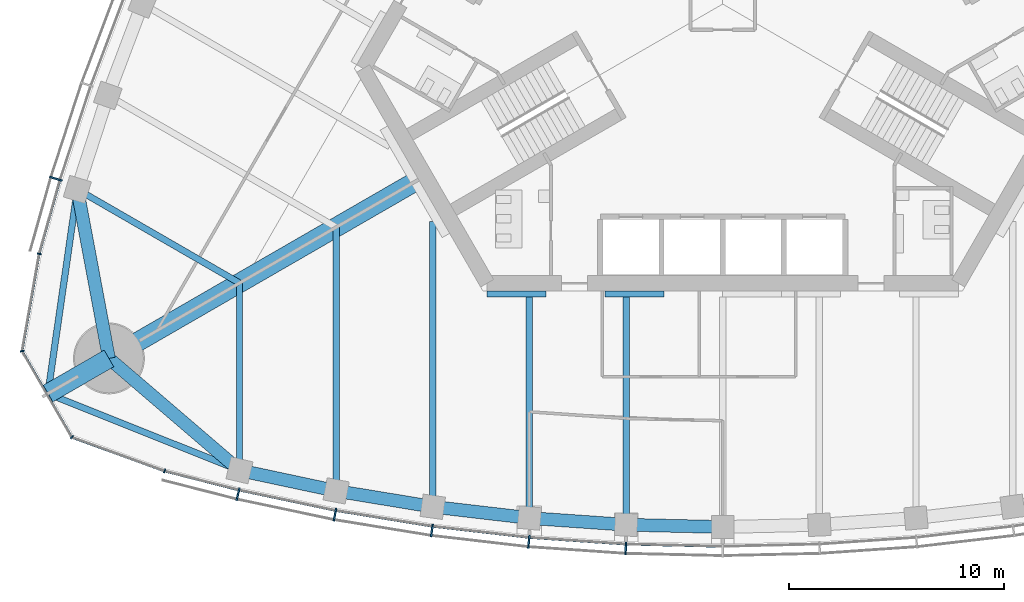
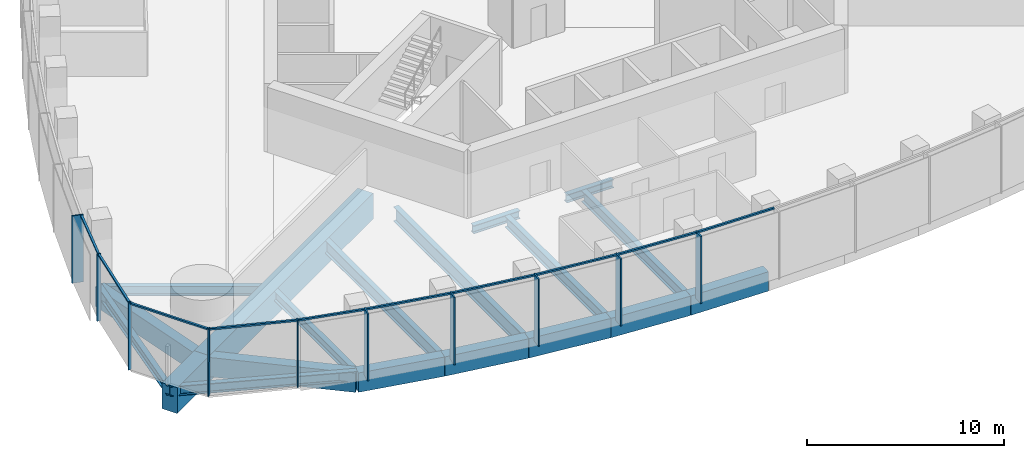
# One storey, part 2 of 19: 20 members, 19 beams, 3 elements without a shape of their own.
"""IFC4 building model written with IfcOpenShell, lengths in metres."""

from ifc_helpers import new_model, si_unit, direction, frame, origin, origin_2d, place, context, subcontext, project, spatial, rectangle, i_section, extrude, material, material_profile, profile_set, type_object, element, aggregate, save


model = new_model("IFC4")

# Units and contexts
model_context = context("Model", 3, precision=1e-05, world=origin(), true_north=direction((0.0, 1.0)))
body_context = subcontext(model_context, "Body", "Model", "MODEL_VIEW")
ifc_project = project(units=[si_unit("LENGTHUNIT", "METRE"), si_unit("AREAUNIT", "SQUARE_METRE"), si_unit("VOLUMEUNIT", "CUBIC_METRE"), si_unit("PLANEANGLEUNIT", "RADIAN"), si_unit("MASSUNIT", "GRAM", prefix="KILO")], contexts=[model_context])

# Site, building, storey
site_placement = place(None, origin())
site = spatial("IfcSite", under=ifc_project, at=site_placement, CompositionType="ELEMENT")
building_placement = place(site_placement, origin())
building = spatial("IfcBuilding", under=site, at=building_placement, Name="Trefoil Bronze Tower", CompositionType="ELEMENT")
storey_placement = place(building_placement, frame((0.0, 0.0, 240.10009765625)))
storey = spatial("IfcBuildingStorey", under=building, at=storey_placement, Name="L55", CompositionType="ELEMENT", Elevation=240.10009765625)

# Curtain wall, members
ifc_material_1 = material(Name="Tinted solar-control glass", Category="glass")
curtain_wall_type_1 = type_object("IfcCurtainWallType", Name="Bronze office curtain wall", PredefinedType="USERDEFINED", material=ifc_material_1)
curtain_wall_1_placement = place(storey_placement, origin())
curtain_wall_1 = element("IfcCurtainWall", 1, at=curtain_wall_1_placement, inside=storey, type_object=curtain_wall_type_1, Name="CW-A L55 F1", ObjectType="CURTAIN WALL", PredefinedType="USERDEFINED")
ifc_material_2 = material(Name="Bronze-finish aluminium", Category="aluminium")
ifc_material_profile_1 = material_profile(ifc_material_2, rectangle(XDim=0.60009765625, YDim=0.080078125, at=origin_2d()), Name="CW-A mullion")
ifc_profile_set_1 = profile_set([ifc_material_profile_1], Name="Bronze-finish aluminium")
member_type_1 = type_object("IfcMemberType", Name="Bronze office curtain wall mullion", PredefinedType="MULLION", material=ifc_profile_set_1)
member_1_placement = place(storey_placement, frame((-22.568115234375, -22.82421875, 0.0), z_axis=(0.0, 0.0, 1.0), x_axis=(0.227082662569, 0.973875487093, 0.0)))
member_1 = element("IfcMember", 2, at=member_1_placement, type_object=member_type_1, Name="CW-A L55 F1 mullion 2", PredefinedType="MULLION", context=body_context, shape_type="SweptSolid", body=[
    extrude(rectangle(XDim=0.60009765625, YDim=0.080078125, at=origin_2d()), origin(), (0.0, 0.0, 1.0), 4.179931640625),
])
member_2_placement = place(storey_placement, frame((-18.05517578125, -23.77783203125, 0.0), z_axis=(0.0, 0.0, 1.0), x_axis=(0.183825368167, 0.982958917767, 0.0)))
member_2 = element("IfcMember", 3, at=member_2_placement, type_object=member_type_1, Name="CW-A L55 F1 mullion 3", PredefinedType="MULLION", context=body_context, shape_type="SweptSolid", body=[
    extrude(rectangle(XDim=0.60009765625, YDim=0.080078125, at=origin_2d()), origin(), (0.0, 0.0, 1.0), 4.179931640625),
])
member_3_placement = place(storey_placement, frame((-13.541259765625, -24.51318359375, 0.0), z_axis=(0.0, 0.0, 1.0), x_axis=(0.137867887204, 0.990450627582, 0.0)))
member_3 = element("IfcMember", 4, at=member_3_placement, type_object=member_type_1, Name="CW-A L55 F1 mullion 4", PredefinedType="MULLION", context=body_context, shape_type="SweptSolid", body=[
    extrude(rectangle(XDim=0.60009765625, YDim=0.080078125, at=origin_2d()), origin(), (0.0, 0.0, 1.0), 4.179931640625),
])
member_4_placement = place(storey_placement, frame((-9.027587890625, -25.03515625, 0.0), z_axis=(0.0, 0.0, 1.0), x_axis=(0.091911396394, 0.995767189263, 0.0)))
member_4 = element("IfcMember", 5, at=member_4_placement, type_object=member_type_1, Name="CW-A L55 F1 mullion 5", PredefinedType="MULLION", context=body_context, shape_type="SweptSolid", body=[
    extrude(rectangle(XDim=0.60009765625, YDim=0.080078125, at=origin_2d()), origin(), (0.0, 0.0, 1.0), 4.179931640625),
])
member_5_placement = place(storey_placement, frame((-4.513671875, -25.346923828125, 0.0), z_axis=(0.0, 0.0, 1.0), x_axis=(0.045955542372, 0.998943485952, 0.0)))
member_5 = element("IfcMember", 6, at=member_5_placement, type_object=member_type_1, Name="CW-A L55 F1 mullion 6", PredefinedType="MULLION", context=body_context, shape_type="SweptSolid", body=[
    extrude(rectangle(XDim=0.60009765625, YDim=0.080078125, at=origin_2d()), origin(), (0.0, 0.0, 1.0), 4.179931640625),
])

# Curtain wall, member
curtain_wall_2_placement = place(storey_placement, origin())
curtain_wall_2 = element("IfcCurtainWall", 7, at=curtain_wall_2_placement, inside=storey, type_object=curtain_wall_type_1, Name="CW-A L55 F3", ObjectType="CURTAIN WALL", PredefinedType="USERDEFINED")
member_6_placement = place(storey_placement, frame((-31.05029296875, -8.132568359375, 0.0), z_axis=(0.0, 0.0, 1.0), x_axis=(0.95694224323, -0.290278389002, 0.0)))
member_6 = element("IfcMember", 8, at=member_6_placement, type_object=member_type_1, Name="CW-A L55 F3 mullion 12", PredefinedType="MULLION", context=body_context, shape_type="SweptSolid", body=[
    extrude(rectangle(XDim=0.60009765625, YDim=0.080078125, at=origin_2d()), origin(), (0.0, 0.0, 1.0), 4.179931640625),
])

# Member
ifc_material_3 = material(Name="Bronze-finish aluminium", Category="aluminium")
ifc_material_profile_2 = material_profile(ifc_material_3, rectangle(XDim=0.1201171875, YDim=0.10009765625, at=origin_2d()), Name="CW-A transom")
ifc_profile_set_2 = profile_set([ifc_material_profile_2], Name="Bronze-finish aluminium")
member_type_2 = type_object("IfcMemberType", Name="Bronze office curtain wall transom", PredefinedType="USERDEFINED", material=ifc_profile_set_2)
member_7_placement = place(storey_placement, frame((-25.93896484375, -21.75732421875, 4.1298828125), z_axis=(0.968935220916, -0.247314653162, 0.0), x_axis=(0.247314653162, 0.968935220916, 0.0)))
member_7 = element("IfcMember", 9, at=member_7_placement, type_object=member_type_2, Name="CW-A L55 F1 transom 1", ObjectType="TRANSOM", PredefinedType="USERDEFINED", context=body_context, shape_type="SweptSolid", body=[
    extrude(rectangle(XDim=0.1201171875, YDim=0.10009765625, at=origin_2d()), origin(), (0.0, 0.0, 1.0), 3.483642578125),
])

member_8_placement = place(storey_placement, frame((-22.4814453125, -22.63818359375, 4.1298828125), z_axis=(0.978395325657, -0.20674280334, 0.0), x_axis=(0.20674280334, 0.978395325657, 0.0)))
member_8 = element("IfcMember", 10, at=member_8_placement, type_object=member_type_2, Name="CW-A L55 F1 transom 2", ObjectType="TRANSOM", PredefinedType="USERDEFINED", context=body_context, shape_type="SweptSolid", body=[
    extrude(rectangle(XDim=0.1201171875, YDim=0.10009765625, at=origin_2d()), origin(), (0.0, 0.0, 1.0), 4.519287109375),
])

member_9_placement = place(storey_placement, frame((-17.9765625, -23.588134765625, 4.1298828125), z_axis=(0.986988367046, -0.160791676761, 0.0), x_axis=(0.160791676761, 0.986988367046, 0.0)))
member_9 = element("IfcMember", 11, at=member_9_placement, type_object=member_type_2, Name="CW-A L55 F1 transom 3", ObjectType="TRANSOM", PredefinedType="USERDEFINED", context=body_context, shape_type="SweptSolid", body=[
    extrude(rectangle(XDim=0.1201171875, YDim=0.10009765625, at=origin_2d()), origin(), (0.0, 0.0, 1.0), 4.479248046875),
])

member_10_placement = place(storey_placement, frame((-13.4716796875, -24.320068359375, 4.1298828125), z_axis=(0.993384885596, -0.114832352013, 0.0), x_axis=(0.114832352013, 0.993384885596, 0.0)))
member_10 = element("IfcMember", 12, at=member_10_placement, type_object=member_type_2, Name="CW-A L55 F1 transom 4", ObjectType="TRANSOM", PredefinedType="USERDEFINED", context=body_context, shape_type="SweptSolid", body=[
    extrude(rectangle(XDim=0.1201171875, YDim=0.10009765625, at=origin_2d()), origin(), (0.0, 0.0, 1.0), 4.449951171875),
])

member_11_placement = place(storey_placement, frame((-8.967041015625, -24.8388671875, 4.1298828125), z_axis=(0.997621320987, -0.06893257512, 0.0), x_axis=(0.06893257512, 0.997621320987, 0.0)))
member_11 = element("IfcMember", 13, at=member_11_placement, type_object=member_type_2, Name="CW-A L55 F1 transom 5", ObjectType="TRANSOM", PredefinedType="USERDEFINED", context=body_context, shape_type="SweptSolid", body=[
    extrude(rectangle(XDim=0.1201171875, YDim=0.10009765625, at=origin_2d()), origin(), (0.0, 0.0, 1.0), 4.4306640625),
])

member_12_placement = place(storey_placement, frame((-4.46240234375, -25.148193359375, 4.1298828125), z_axis=(0.999736131416, -0.022971015226, 0.0), x_axis=(0.022971015226, 0.999736131416, 0.0)))
member_12 = element("IfcMember", 14, at=member_12_placement, type_object=member_type_2, Name="CW-A L55 F1 transom 6", ObjectType="TRANSOM", PredefinedType="USERDEFINED", context=body_context, shape_type="SweptSolid", body=[
    extrude(rectangle(XDim=0.1201171875, YDim=0.10009765625, at=origin_2d()), origin(), (0.0, 0.0, 1.0), 4.42138671875),
])

aggregate(curtain_wall_1, [member_1, member_2, member_3, member_4, member_5, member_7, member_8, member_9, member_10, member_11, member_12])

member_13_placement = place(storey_placement, frame((-30.870361328125, -8.23095703125, 4.1298828125), z_axis=(-0.270284880437, -0.962780392097, 0.0), x_axis=(0.962780392097, -0.270284880437, 0.0)))
member_13 = element("IfcMember", 15, at=member_13_placement, type_object=member_type_2, Name="CW-A L55 F3 transom 12", ObjectType="TRANSOM", PredefinedType="USERDEFINED", context=body_context, shape_type="SweptSolid", body=[
    extrude(rectangle(XDim=0.1201171875, YDim=0.10009765625, at=origin_2d()), origin(), (0.0, 0.0, 1.0), 3.48388671875),
])

aggregate(curtain_wall_2, [member_6, member_13])

# Curtain wall, members
ifc_material_4 = material(Name="Tinted solar-control glass", Category="glass")
curtain_wall_type_2 = type_object("IfcCurtainWallType", Name="Bronze rounded corner curtain wall", PredefinedType="USERDEFINED", material=ifc_material_4)
curtain_wall_3_placement = place(storey_placement, origin())
curtain_wall_3 = element("IfcCurtainWall", 16, at=curtain_wall_3_placement, inside=storey, type_object=curtain_wall_type_2, Name="CW-B L55 K3", ObjectType="CURTAIN WALL", PredefinedType="USERDEFINED")
ifc_material_5 = material(Name="Bronze-finish aluminium", Category="aluminium")
ifc_material_profile_3 = material_profile(ifc_material_5, rectangle(XDim=0.199951171875, YDim=0.06005859375, at=origin_2d()), Name="CW-B mullion")
ifc_profile_set_3 = profile_set([ifc_material_profile_3], Name="Bronze-finish aluminium")
member_type_3 = type_object("IfcMemberType", Name="Bronze rounded corner curtain wall mullion", PredefinedType="MULLION", material=ifc_profile_set_3)
member_14_placement = place(storey_placement, frame((-31.824951171875, -11.63330078125, 0.0), z_axis=(0.0, 0.0, 1.0), x_axis=(0.984807753012, -0.173648177667, 0.0)))
member_14 = element("IfcMember", 17, at=member_14_placement, type_object=member_type_3, Name="CW-B L55 K3 mullion 1", PredefinedType="MULLION", context=body_context, shape_type="SweptSolid", body=[
    extrude(rectangle(XDim=0.199951171875, YDim=0.06005859375, at=origin_2d()), origin(), (0.0, 0.0, 1.0), 4.179931640625),
])
member_15_placement = place(storey_placement, frame((-32.616943359375, -16.158935546875, 0.0), z_axis=(0.0, 0.0, 1.0), x_axis=(0.984807753012, 0.173648177667, 0.0)))
member_15 = element("IfcMember", 18, at=member_15_placement, type_object=member_type_3, Name="CW-B L55 K3 mullion 2", PredefinedType="MULLION", context=body_context, shape_type="SweptSolid", body=[
    extrude(rectangle(XDim=0.199951171875, YDim=0.06005859375, at=origin_2d()), origin(), (0.0, 0.0, 1.0), 4.179931640625),
])
member_16_placement = place(storey_placement, frame((-30.302490234375, -20.16748046875, 0.0), z_axis=(0.0, 0.0, 1.0), x_axis=(0.642787609687, 0.766044443119, 0.0)))
member_16 = element("IfcMember", 19, at=member_16_placement, type_object=member_type_3, Name="CW-B L55 K3 mullion 3", PredefinedType="MULLION", context=body_context, shape_type="SweptSolid", body=[
    extrude(rectangle(XDim=0.199951171875, YDim=0.06005859375, at=origin_2d()), origin(), (0.0, 0.0, 1.0), 4.179931640625),
])
member_17_placement = place(storey_placement, frame((-25.9873046875, -21.74462890625, 0.0), z_axis=(0.0, 0.0, 1.0), x_axis=(0.342020143326, 0.939692620786, 0.0)))
member_17 = element("IfcMember", 20, at=member_17_placement, type_object=member_type_3, Name="CW-B L55 K3 mullion 4", PredefinedType="MULLION", context=body_context, shape_type="SweptSolid", body=[
    extrude(rectangle(XDim=0.199951171875, YDim=0.06005859375, at=origin_2d()), origin(), (0.0, 0.0, 1.0), 4.179931640625),
])
ifc_material_6 = material(Name="Bronze-finish aluminium", Category="aluminium")
ifc_material_profile_4 = material_profile(ifc_material_6, rectangle(XDim=0.1201171875, YDim=0.10009765625, at=origin_2d()), Name="CW-B transom")
ifc_profile_set_4 = profile_set([ifc_material_profile_4], Name="Bronze-finish aluminium")
member_type_4 = type_object("IfcMemberType", Name="Bronze rounded corner curtain wall transom", PredefinedType="USERDEFINED", material=ifc_profile_set_4)
member_18_placement = place(storey_placement, frame((-31.830078125, -11.662841796875, 4.1298828125), z_axis=(-0.173655350028, -0.984806488304, 0.0), x_axis=(0.984806488304, -0.173655350028, 0.0)))
member_18 = element("IfcMember", 21, at=member_18_placement, type_object=member_type_4, Name="CW-B L55 K3 transom 1", ObjectType="TRANSOM", PredefinedType="USERDEFINED", context=body_context, shape_type="SweptSolid", body=[
    extrude(rectangle(XDim=0.1201171875, YDim=0.10009765625, at=origin_2d()), origin(), (0.0, 0.0, 1.0), 4.500244140625),
])
member_19_placement = place(storey_placement, frame((-32.590087890625, -16.217529296875, 4.1298828125), z_axis=(0.500007335828, -0.866021168401, 0.0), x_axis=(0.866021168401, 0.500007335828, 0.0)))
member_19 = element("IfcMember", 22, at=member_19_placement, type_object=member_type_4, Name="CW-B L55 K3 transom 2", ObjectType="TRANSOM", PredefinedType="USERDEFINED", context=body_context, shape_type="SweptSolid", body=[
    extrude(rectangle(XDim=0.1201171875, YDim=0.10009765625, at=origin_2d()), origin(), (0.0, 0.0, 1.0), 4.50048828125),
])
member_20_placement = place(storey_placement, frame((-30.244140625, -20.195068359375, 4.1298828125), z_axis=(0.939680910753, -0.342052314664, 0.0), x_axis=(0.342052314664, 0.939680910753, 0.0)))
member_20 = element("IfcMember", 23, at=member_20_placement, type_object=member_type_4, Name="CW-B L55 K3 transom 3", ObjectType="TRANSOM", PredefinedType="USERDEFINED", context=body_context, shape_type="SweptSolid", body=[
    extrude(rectangle(XDim=0.1201171875, YDim=0.10009765625, at=origin_2d()), origin(), (0.0, 0.0, 1.0), 4.500244140625),
])
aggregate(curtain_wall_3, [member_14, member_15, member_16, member_17, member_18, member_19, member_20])

# Beams
ifc_material_7 = material(Name="Steel C355", Category="steel")
ifc_material_profile_5 = material_profile(ifc_material_7, i_section(OverallWidth=0.300048828125, OverallDepth=0.5, WebThickness=0.014404296875, FlangeThickness=0.028076171875, FilletRadius=0.027099609375, at=origin_2d()), Name="HEB 500")
ifc_profile_set_5 = profile_set([ifc_material_profile_5], Name="Steel C355")
beam_type_1 = type_object("IfcBeamType", Name="Core seat beam HEB 500", PredefinedType="BEAM", material=ifc_profile_set_5)
for number, where, z_axis, x_axis, name in (
    (24, (-10.9697265625, -13.5, -0.4501953125), (1.0, 0.0, 0.0), (0.0, 1.0, 0.0), "Core seat beam F1/-2 L55"),
    (25, (-5.48486328125, -13.5, -0.4501953125), (1.0, 0.0, 0.0), (0.0, 1.0, 0.0), "Core seat beam F1/-1 L55"),
):
    element("IfcBeam", number, at=place(storey_placement, frame(where, z_axis=z_axis, x_axis=x_axis)), inside=storey, type_object=beam_type_1, Name=name, PredefinedType="BEAM", context=body_context, shape_type="SweptSolid", body=[
        extrude(i_section(OverallWidth=0.300048828125, OverallDepth=0.5, WebThickness=0.014404296875, FlangeThickness=0.028076171875, FilletRadius=0.027099609375, at=origin_2d()), origin(), (0.0, 0.0, 1.0), 2.742431640625),
    ])
ifc_material_8 = material(Name="Concrete B80", Category="concrete")
ifc_material_profile_6 = material_profile(ifc_material_8, rectangle(XDim=0.89990234375, YDim=1.60009765625, at=origin_2d()), Name="RC 900x1600")
ifc_profile_set_6 = profile_set([ifc_material_profile_6], Name="Concrete B80")
beam_type_2 = type_object("IfcBeamType", Name="Corner cantilever RC 900x1600", PredefinedType="BEAM", material=ifc_profile_set_6)
beam_1_placement = place(storey_placement, frame((-28.578857421875, -16.5, -1.0), z_axis=(-0.866016004958, -0.500016278891, 0.0), x_axis=(0.500016278891, -0.866016004958, 0.0)))
element("IfcBeam", 26, at=beam_1_placement, inside=storey, type_object=beam_type_2, Name="Corner cantilever K3 L55", PredefinedType="BEAM", context=body_context, shape_type="SweptSolid", body=[
    extrude(rectangle(XDim=0.89990234375, YDim=1.60009765625, at=origin_2d()), origin(), (0.0, 0.0, 1.0), 3.28466796875),
])
ifc_material_9 = material(Name="Steel C355", Category="steel")
ifc_material_profile_7 = material_profile(ifc_material_9, i_section(OverallWidth=0.300048828125, OverallDepth=0.60009765625, WebThickness=0.015380859375, FlangeThickness=0.030029296875, FilletRadius=0.027099609375, at=origin_2d()), Name="HEB 600")
ifc_profile_set_7 = profile_set([ifc_material_profile_7], Name="Steel C355")
beam_type_3 = type_object("IfcBeamType", Name="Corner edge beam HEB 600", PredefinedType="BEAM", material=ifc_profile_set_7)
for number, where, z_axis, x_axis, name in (
    (27, (-22.5, -21.71044921875, -0.5), (-0.92852048463, 0.371281173266, 0.0), (-0.371281173266, -0.92852048463, 0.0), "Corner edge beam F1B L55"),
    (28, (-30.052001953125, -8.63037109375, -0.5), (-0.142694489722, -0.989766781925, 0.0), (0.989766781925, -0.142694489722, 0.0), "Corner edge beam F3A L55"),
):
    element("IfcBeam", number, at=place(storey_placement, frame(where, z_axis=z_axis, x_axis=x_axis)), inside=storey, type_object=beam_type_3, Name=name, PredefinedType="BEAM", context=body_context, shape_type="SweptSolid", body=[
        extrude(i_section(OverallWidth=0.300048828125, OverallDepth=0.60009765625, WebThickness=0.015380859375, FlangeThickness=0.030029296875, FilletRadius=0.027099609375, at=origin_2d()), origin(), (0.0, 0.0, 1.0), 9.6103515625),
    ])
ifc_material_10 = material(Name="Concrete B80", Category="concrete")
ifc_material_profile_8 = material_profile(ifc_material_10, rectangle(XDim=0.89990234375, YDim=1.60009765625, at=origin_2d()), Name="RC 900x1600")
ifc_profile_set_8 = profile_set([ifc_material_profile_8], Name="Concrete B80")
beam_type_4 = type_object("IfcBeamType", Name="Corner girder RC 900x1600", PredefinedType="BEAM", material=ifc_profile_set_8)
beam_2_placement = place(storey_placement, frame((-14.159423828125, -8.175048828125, -1.0), z_axis=(-0.866028334591, -0.49999492366, 0.0), x_axis=(0.49999492366, -0.866028334591, 0.0)))
element("IfcBeam", 29, at=beam_2_placement, inside=storey, type_object=beam_type_4, Name="Corner girder K3 L55", PredefinedType="BEAM", context=body_context, shape_type="SweptSolid", body=[
    extrude(rectangle(XDim=0.89990234375, YDim=1.60009765625, at=origin_2d()), origin(), (0.0, 0.0, 1.0), 16.650146484375),
])
ifc_material_11 = material(Name="Concrete B80", Category="concrete")
ifc_material_profile_9 = material_profile(ifc_material_11, rectangle(XDim=0.60009765625, YDim=1.199951171875, at=origin_2d()), Name="RC 600x1200")
ifc_profile_set_9 = profile_set([ifc_material_profile_9], Name="Concrete B80")
beam_type_5 = type_object("IfcBeamType", Name="End spandrel beam RC 600x1200", PredefinedType="SPANDREL", material=ifc_profile_set_9)
for number, where, z_axis, x_axis, name in (
    (30, (-28.578857421875, -16.5, -0.800048828125), (0.759256602365, -0.650791373456, 0.0), (0.650791373456, 0.759256602365, 0.0), "Spandrel F1.1 L55"),
    (31, (-30.052001953125, -8.63037109375, -0.800048828125), (0.18399763073, -0.982926686933, 0.0), (0.982926686933, 0.18399763073, 0.0), "Spandrel F3.12 L55"),
):
    element("IfcBeam", number, at=place(storey_placement, frame(where, z_axis=z_axis, x_axis=x_axis)), inside=storey, type_object=beam_type_5, Name=name, PredefinedType="SPANDREL", context=body_context, shape_type="SweptSolid", body=[
        extrude(rectangle(XDim=0.60009765625, YDim=1.199951171875, at=origin_2d()), origin(), (0.0, 0.0, 1.0), 8.00634765625),
    ])
ifc_material_12 = material(Name="Steel C355", Category="steel")
ifc_material_profile_10 = material_profile(ifc_material_12, i_section(OverallWidth=0.300048828125, OverallDepth=0.590087890625, WebThickness=0.012939453125, FlangeThickness=0.02490234375, FilletRadius=0.027099609375, at=origin_2d()), Name="HEA 600")
ifc_profile_set_10 = profile_set([ifc_material_profile_10], Name="Steel C355")
beam_type_6 = type_object("IfcBeamType", Name="Floor beam HEA 600", PredefinedType="BEAM", material=ifc_profile_set_10)
beam_3_placement = place(storey_placement, frame((-22.5, -21.71044921875, -0.4951171875), z_axis=(0.0, 1.0, 0.0), x_axis=(-1.0, 0.0, 0.0)))
element("IfcBeam", 32, at=beam_3_placement, inside=storey, type_object=beam_type_6, Name="Floor beam F1/-5 L55", PredefinedType="BEAM", context=body_context, shape_type="SweptSolid", body=[
    extrude(i_section(OverallWidth=0.300048828125, OverallDepth=0.590087890625, WebThickness=0.012939453125, FlangeThickness=0.02490234375, FilletRadius=0.027099609375, at=origin_2d()), origin(), (0.0, 0.0, 1.0), 8.719970703125),
])
beam_4_placement = place(storey_placement, frame((-30.052001953125, -8.63037109375, -0.4951171875), z_axis=(0.866027535932, -0.499996306993, 0.0), x_axis=(0.499996306993, 0.866027535932, 0.0)))
element("IfcBeam", 33, at=beam_4_placement, inside=storey, type_object=beam_type_6, Name="Floor beam F3/+5 L55", PredefinedType="BEAM", context=body_context, shape_type="SweptSolid", body=[
    extrude(i_section(OverallWidth=0.300048828125, OverallDepth=0.590087890625, WebThickness=0.012939453125, FlangeThickness=0.02490234375, FilletRadius=0.027099609375, at=origin_2d()), origin(), (0.0, 0.0, 1.0), 8.72021484375),
])
ifc_material_13 = material(Name="Steel C355", Category="steel")
ifc_material_profile_11 = material_profile(ifc_material_13, i_section(OverallWidth=0.300048828125, OverallDepth=0.699951171875, WebThickness=0.01708984375, FlangeThickness=0.031982421875, FilletRadius=0.027099609375, at=origin_2d()), Name="HEB 700")
ifc_profile_set_11 = profile_set([ifc_material_profile_11], Name="Steel C355")
beam_type_7 = type_object("IfcBeamType", Name="Floor beam HEB 700", PredefinedType="BEAM", material=ifc_profile_set_11)
beam_5_placement = place(storey_placement, frame((-9.0, -23.932861328125, -0.550048828125), z_axis=(0.0, 1.0, 0.0), x_axis=(-1.0, 0.0, 0.0)))
element("IfcBeam", 34, at=beam_5_placement, inside=storey, type_object=beam_type_7, Name="Floor beam F1/-2 L55", PredefinedType="BEAM", context=body_context, shape_type="SweptSolid", body=[
    extrude(i_section(OverallWidth=0.300048828125, OverallDepth=0.699951171875, WebThickness=0.01708984375, FlangeThickness=0.031982421875, FilletRadius=0.027099609375, at=origin_2d()), origin(), (0.0, 0.0, 1.0), 10.282958984375),
])
beam_6_placement = place(storey_placement, frame((-4.5, -24.246337890625, -0.550048828125), z_axis=(0.0, 1.0, 0.0), x_axis=(-1.0, 0.0, 0.0)))
element("IfcBeam", 35, at=beam_6_placement, inside=storey, type_object=beam_type_7, Name="Floor beam F1/-1 L55", PredefinedType="BEAM", context=body_context, shape_type="SweptSolid", body=[
    extrude(i_section(OverallWidth=0.300048828125, OverallDepth=0.699951171875, WebThickness=0.01708984375, FlangeThickness=0.031982421875, FilletRadius=0.027099609375, at=origin_2d()), origin(), (0.0, 0.0, 1.0), 10.596435546875),
])
ifc_material_14 = material(Name="Steel C355", Category="steel")
ifc_material_profile_12 = material_profile(ifc_material_14, i_section(OverallWidth=0.300048828125, OverallDepth=0.800048828125, WebThickness=0.017578125, FlangeThickness=0.032958984375, FilletRadius=0.030029296875, at=origin_2d()), Name="HEB 800")
ifc_profile_set_12 = profile_set([ifc_material_profile_12], Name="Steel C355")
beam_type_8 = type_object("IfcBeamType", Name="Floor beam HEB 800", PredefinedType="BEAM", material=ifc_profile_set_12)
beam_7_placement = place(storey_placement, frame((-18.0, -22.6689453125, -0.60009765625), z_axis=(0.0, 1.0, 0.0), x_axis=(-1.0, 0.0, 0.0)))
element("IfcBeam", 36, at=beam_7_placement, inside=storey, type_object=beam_type_8, Name="Floor beam F1/-4 L55", PredefinedType="BEAM", context=body_context, shape_type="SweptSolid", body=[
    extrude(i_section(OverallWidth=0.300048828125, OverallDepth=0.800048828125, WebThickness=0.017578125, FlangeThickness=0.032958984375, FilletRadius=0.030029296875, at=origin_2d()), origin(), (0.0, 0.0, 1.0), 12.276611328125),
])
ifc_material_15 = material(Name="Steel C355", Category="steel")
ifc_material_profile_13 = material_profile(ifc_material_15, i_section(OverallWidth=0.300048828125, OverallDepth=0.89990234375, WebThickness=0.0185546875, FlangeThickness=0.034912109375, FilletRadius=0.030029296875, at=origin_2d()), Name="HEB 900")
ifc_profile_set_13 = profile_set([ifc_material_profile_13], Name="Steel C355")
beam_type_9 = type_object("IfcBeamType", Name="Floor beam HEB 900", PredefinedType="BEAM", material=ifc_profile_set_13)
beam_8_placement = place(storey_placement, frame((-13.5, -23.408447265625, -0.650146484375), z_axis=(0.0, 1.0, 0.0), x_axis=(-1.0, 0.0, 0.0)))
element("IfcBeam", 37, at=beam_8_placement, inside=storey, type_object=beam_type_9, Name="Floor beam F1/-3 L55", PredefinedType="BEAM", context=body_context, shape_type="SweptSolid", body=[
    extrude(i_section(OverallWidth=0.300048828125, OverallDepth=0.89990234375, WebThickness=0.0185546875, FlangeThickness=0.034912109375, FilletRadius=0.030029296875, at=origin_2d()), origin(), (0.0, 0.0, 1.0), 13.291015625),
])
ifc_material_16 = material(Name="Concrete B80", Category="concrete")
ifc_material_profile_14 = material_profile(ifc_material_16, rectangle(XDim=0.60009765625, YDim=1.199951171875, at=origin_2d()), Name="RC 600x1200")
ifc_profile_set_14 = profile_set([ifc_material_profile_14], Name="Concrete B80")
beam_type_10 = type_object("IfcBeamType", Name="Spandrel beam RC 600x1200", PredefinedType="SPANDREL", material=ifc_profile_set_14)
beam_9_placement = place(storey_placement, frame((-22.5, -21.71044921875, -0.800048828125), z_axis=(0.978059483036, -0.208325820877, 0.0), x_axis=(0.208325820877, 0.978059483036, 0.0)))
element("IfcBeam", 38, at=beam_9_placement, inside=storey, type_object=beam_type_10, Name="Spandrel F1.2 L55", PredefinedType="SPANDREL", context=body_context, shape_type="SweptSolid", body=[
    extrude(rectangle(XDim=0.60009765625, YDim=1.199951171875, at=origin_2d()), origin(), (0.0, 0.0, 1.0), 4.600830078125),
])
beam_10_placement = place(storey_placement, frame((-18.0, -22.6689453125, -0.800048828125), z_axis=(0.986764681833, -0.162158757664, 0.0), x_axis=(0.162158757664, 0.986764681833, 0.0)))
element("IfcBeam", 39, at=beam_10_placement, inside=storey, type_object=beam_type_10, Name="Spandrel F1.3 L55", PredefinedType="SPANDREL", context=body_context, shape_type="SweptSolid", body=[
    extrude(rectangle(XDim=0.60009765625, YDim=1.199951171875, at=origin_2d()), origin(), (0.0, 0.0, 1.0), 4.560302734375),
])
beam_11_placement = place(storey_placement, frame((-13.5, -23.408447265625, -0.800048828125), z_axis=(0.993278017132, -0.115753102257, 0.0), x_axis=(0.115753102257, 0.993278017132, 0.0)))
element("IfcBeam", 40, at=beam_11_placement, inside=storey, type_object=beam_type_10, Name="Spandrel F1.4 L55", PredefinedType="SPANDREL", context=body_context, shape_type="SweptSolid", body=[
    extrude(rectangle(XDim=0.60009765625, YDim=1.199951171875, at=origin_2d()), origin(), (0.0, 0.0, 1.0), 4.530517578125),
])
beam_12_placement = place(storey_placement, frame((-9.0, -23.932861328125, -0.800048828125), z_axis=(0.997582435881, -0.069493047291, 0.0), x_axis=(0.069493047291, 0.997582435881, 0.0)))
element("IfcBeam", 41, at=beam_12_placement, inside=storey, type_object=beam_type_10, Name="Spandrel F1.5 L55", PredefinedType="SPANDREL", context=body_context, shape_type="SweptSolid", body=[
    extrude(rectangle(XDim=0.60009765625, YDim=1.199951171875, at=origin_2d()), origin(), (0.0, 0.0, 1.0), 4.510986328125),
])
beam_13_placement = place(storey_placement, frame((-4.5, -24.246337890625, -0.800048828125), z_axis=(0.999731770792, -0.023160018779, 0.0), x_axis=(0.023160018779, 0.999731770792, 0.0)))
element("IfcBeam", 42, at=beam_13_placement, inside=storey, type_object=beam_type_10, Name="Spandrel F1.6 L55", PredefinedType="SPANDREL", context=body_context, shape_type="SweptSolid", body=[
    extrude(rectangle(XDim=0.60009765625, YDim=1.199951171875, at=origin_2d()), origin(), (0.0, 0.0, 1.0), 4.501220703125),
])

save(model, "model.ifc")
